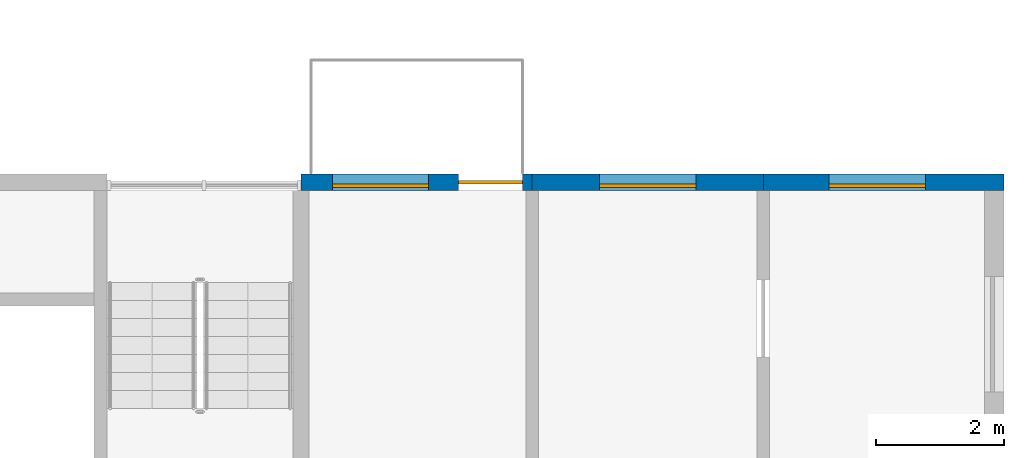
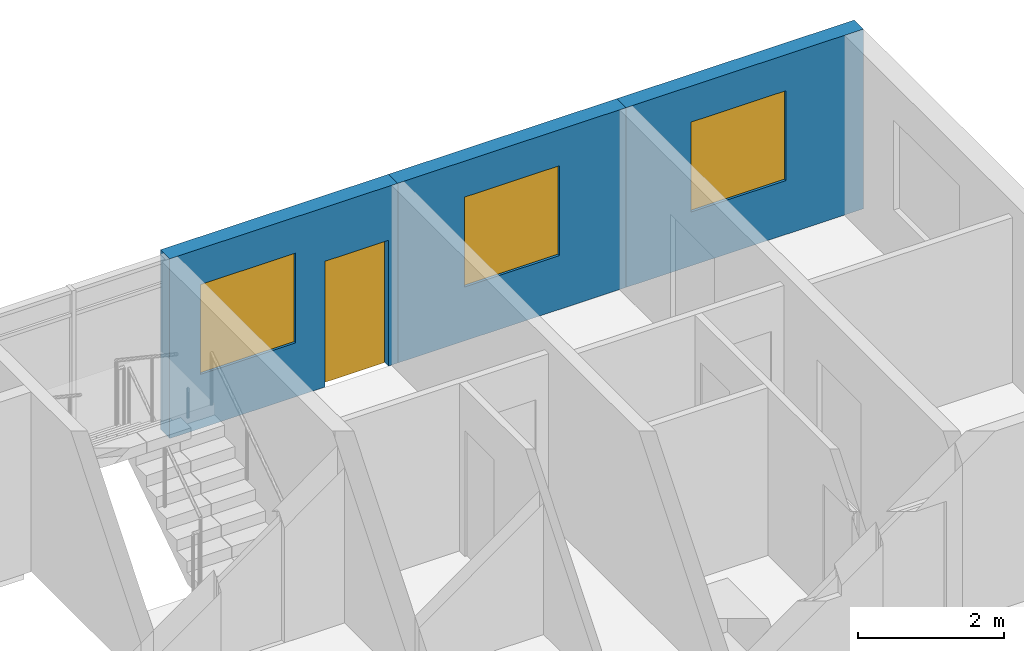
# One storey, part 60 of 93: 3 walls, 3 windows, 1 door, 4 openings.
"""IFC4 building model written with IfcOpenShell, lengths in metres."""

from ifc_helpers import new_model, si_unit, direction, frame, frame_2d, origin, place, context, subcontext, project, spatial, rectangle, extrude, material, layer, layer_set, type_object, element, fill, save


model = new_model("IFC4")

# Units and contexts
model_context = context("Model", 3, precision=1e-05, world=origin(), true_north=direction((0.0, 1.0)))
body_context = subcontext(model_context, "Body", "Model", "MODEL_VIEW")
ifc_project = project(units=[si_unit("LENGTHUNIT", "METRE"), si_unit("AREAUNIT", "SQUARE_METRE"), si_unit("VOLUMEUNIT", "CUBIC_METRE"), si_unit("PLANEANGLEUNIT", "RADIAN"), si_unit("MASSUNIT", "GRAM", prefix="KILO")], contexts=[model_context])

# Site, building, storey
site_placement = place(None, origin())
site = spatial("IfcSite", under=ifc_project, at=site_placement, CompositionType="ELEMENT")
building_placement = place(site_placement, origin())
building = spatial("IfcBuilding", under=site, at=building_placement, Name="Ridgestep Commons", CompositionType="ELEMENT")
storey_placement = place(building_placement, frame((0.0, 0.0, 18.0)))
storey = spatial("IfcBuildingStorey", under=building, at=storey_placement, Name="L06", CompositionType="ELEMENT", Elevation=18.0)

# Wall, openings, door, window
ifc_material_1 = material(Name="Precast concrete C40/50", Category="concrete")
ifc_layer = layer(ifc_material_1, 0.25)
ifc_layer_set = layer_set([ifc_layer], Name="North facade panel 250")
wall_type = type_object("IfcWallType", Name="North facade panel 250", PredefinedType="SOLIDWALL", material=ifc_layer_set)
wall_1_placement = place(storey_placement, frame((236.800048828125, 77.125, 0.0), z_axis=(0.0, 0.0, 1.0), x_axis=(1.0, 0.0, 0.0)))
wall_1 = element("IfcWall", 1, at=wall_1_placement, inside=storey, type_object=wall_type, Name="North panel C6T3 L06", PredefinedType="SOLIDWALL", context=body_context, shape_type="SweptSolid", body=[
    extrude(rectangle(XDim=3.599853515625, YDim=0.25, at=frame_2d((1.7998046875, 0.0))), origin(), (0.0, 0.0, 1.0), 3.0),
])
opening_1_placement = place(wall_1_placement, frame((0.487548828125, 0.0, 0.89990234375)))
opening_1 = element("IfcOpeningElement", 2, at=opening_1_placement, cuts=wall_1, Name="Opening W16", PredefinedType="OPENING", context=body_context, shape_type="SweptSolid", body=[
    extrude(rectangle(XDim=1.5, YDim=1.5, at=frame_2d((0.75, 0.75))), frame((0.0, 0.135009765625, 0.0), z_axis=(0.0, -1.0, 0.0), x_axis=(1.0, 0.0, 0.0)), (0.0, 0.0, 1.0), 0.27001953125),
])
opening_2_placement = place(wall_1_placement, frame((2.449951171875, 0.0, 0.0)))
opening_2 = element("IfcOpeningElement", 3, at=opening_2_placement, cuts=wall_1, Name="Opening C6-06b/5", PredefinedType="OPENING", context=body_context, shape_type="SweptSolid", body=[
    extrude(rectangle(XDim=1.0, YDim=2.10009765625, at=frame_2d((0.5, 1.050048828125))), frame((0.0, 0.135009765625, 0.0), z_axis=(0.0, -1.0, 0.0), x_axis=(1.0, 0.0, 0.0)), (0.0, 0.0, 1.0), 0.27001953125),
])
ifc_material_2 = material(Name="Aluminium and glass", Category="aluminium")
door_type = type_object("IfcDoorType", Name="Balcony door 1000 x 2100", OperationType="NOTDEFINED", PredefinedType="DOOR", material=ifc_material_2)
door_placement = place(opening_2_placement, origin())
door = element("IfcDoor", 4, at=door_placement, inside=storey, type_object=door_type, Name="Balcony door C6-06b/5", OperationType="SINGLE_SWING_LEFT", OverallHeight=2.10009765625, OverallWidth=1.0, PredefinedType="DOOR", context=body_context, shape_type="SweptSolid", body=[
    extrude(rectangle(XDim=1.0, YDim=2.10009765625, at=frame_2d((0.5, 1.050048828125))), frame((0.0, 0.02490234375, 0.0), z_axis=(0.0, -1.0, 0.0), x_axis=(1.0, 0.0, 0.0)), (0.0, 0.0, 1.0), 0.050048828125),
])
fill(opening_2, door)
ifc_material_3 = material(Name="Aluminium 6063-T6 and glass", Category="aluminium")
window_type = type_object("IfcWindowType", Name="Flat window 1500 x 1500", PartitioningType="DOUBLE_PANEL_VERTICAL", PredefinedType="WINDOW", material=ifc_material_3)
window_1_placement = place(opening_1_placement, origin())
window_1 = element("IfcWindow", 5, at=window_1_placement, inside=storey, type_object=window_type, Name="Window C6-06b 2", OverallHeight=1.5, OverallWidth=1.5, PartitioningType="SINGLE_PANEL", PredefinedType="WINDOW", context=body_context, shape_type="SweptSolid", body=[
    extrude(rectangle(XDim=1.5, YDim=1.5, at=frame_2d((0.75, 0.75))), frame((0.0, -0.02490234375, 0.0), z_axis=(0.0, -1.0, 0.0), x_axis=(1.0, 0.0, 0.0)), (0.0, 0.0, 1.0), 0.06005859375),
])
fill(opening_1, window_1)

# Wall, opening, window
wall_2_placement = place(storey_placement, frame((240.39990234375, 77.125, 0.0), z_axis=(0.0, 0.0, 1.0), x_axis=(1.0, 0.0, 0.0)))
wall_2 = element("IfcWall", 6, at=wall_2_placement, inside=storey, type_object=wall_type, Name="North panel C6T2 L06", PredefinedType="SOLIDWALL", context=body_context, shape_type="SweptSolid", body=[
    extrude(rectangle(XDim=3.60009765625, YDim=0.25, at=frame_2d((1.800048828125, 0.0))), origin(), (0.0, 0.0, 1.0), 3.0),
])
opening_3_placement = place(wall_2_placement, frame((1.050048828125, 0.0, 0.89990234375)))
opening_3 = element("IfcOpeningElement", 7, at=opening_3_placement, cuts=wall_2, Name="Opening W16", PredefinedType="OPENING", context=body_context, shape_type="SweptSolid", body=[
    extrude(rectangle(XDim=1.5, YDim=1.5, at=frame_2d((0.75, 0.75))), frame((0.0, 0.135009765625, 0.0), z_axis=(0.0, -1.0, 0.0), x_axis=(1.0, 0.0, 0.0)), (0.0, 0.0, 1.0), 0.27001953125),
])
window_2_placement = place(opening_3_placement, origin())
window_2 = element("IfcWindow", 8, at=window_2_placement, inside=storey, type_object=window_type, Name="Window C6-06a 4", OverallHeight=1.5, OverallWidth=1.5, PartitioningType="SINGLE_PANEL", PredefinedType="WINDOW", context=body_context, shape_type="SweptSolid", body=[
    extrude(rectangle(XDim=1.5, YDim=1.5, at=frame_2d((0.75, 0.75))), frame((0.0, -0.02490234375, 0.0), z_axis=(0.0, -1.0, 0.0), x_axis=(1.0, 0.0, 0.0)), (0.0, 0.0, 1.0), 0.06005859375),
])
fill(opening_3, window_2)

wall_3_placement = place(storey_placement, frame((244.0, 77.125, 0.0), z_axis=(0.0, 0.0, 1.0), x_axis=(1.0, 0.0, 0.0)))
wall_3 = element("IfcWall", 9, at=wall_3_placement, inside=storey, type_object=wall_type, Name="North panel C6T1 L06", PredefinedType="SOLIDWALL", context=body_context, shape_type="SweptSolid", body=[
    extrude(rectangle(XDim=3.75, YDim=0.25, at=frame_2d((1.875, 0.0))), origin(), (0.0, 0.0, 1.0), 3.0),
])
opening_4_placement = place(wall_3_placement, frame((1.02490234375, 0.0, 0.89990234375)))
opening_4 = element("IfcOpeningElement", 10, at=opening_4_placement, cuts=wall_3, Name="Opening W16", PredefinedType="OPENING", context=body_context, shape_type="SweptSolid", body=[
    extrude(rectangle(XDim=1.5, YDim=1.5, at=frame_2d((0.75, 0.75))), frame((0.0, 0.135009765625, 0.0), z_axis=(0.0, -1.0, 0.0), x_axis=(1.0, 0.0, 0.0)), (0.0, 0.0, 1.0), 0.27001953125),
])
window_3_placement = place(opening_4_placement, origin())
window_3 = element("IfcWindow", 11, at=window_3_placement, inside=storey, type_object=window_type, Name="Window C6-06a 2", OverallHeight=1.5, OverallWidth=1.5, PartitioningType="SINGLE_PANEL", PredefinedType="WINDOW", context=body_context, shape_type="SweptSolid", body=[
    extrude(rectangle(XDim=1.5, YDim=1.5, at=frame_2d((0.75, 0.75))), frame((0.0, -0.02490234375, 0.0), z_axis=(0.0, -1.0, 0.0), x_axis=(1.0, 0.0, 0.0)), (0.0, 0.0, 1.0), 0.06005859375),
])
fill(opening_4, window_3)

save(model, "model.ifc")
